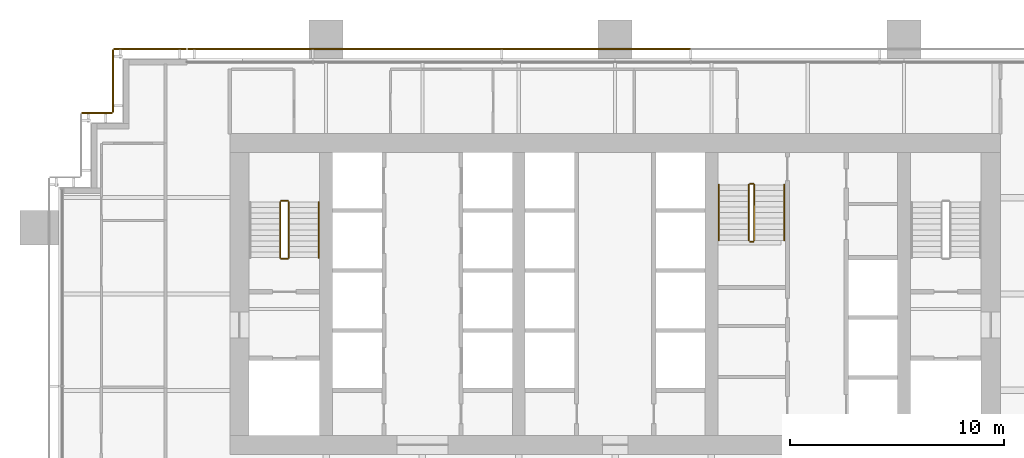
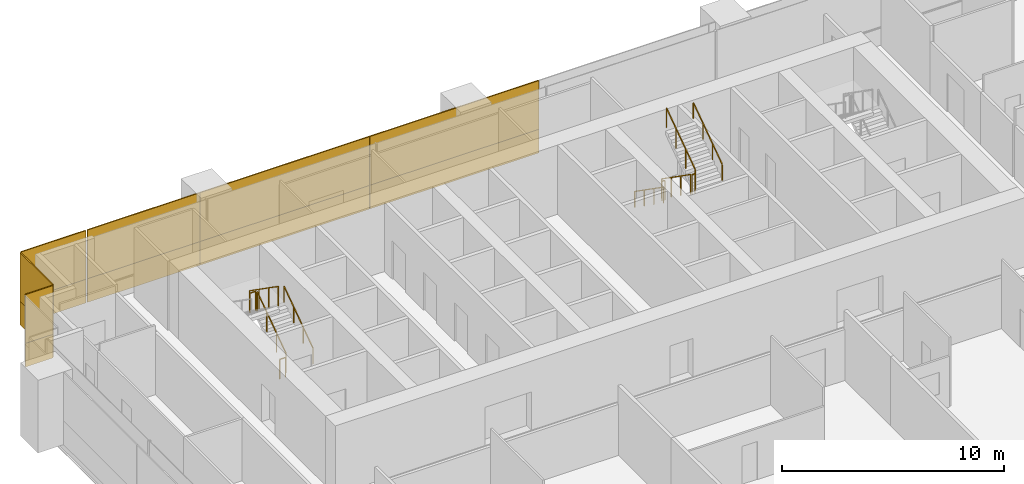
# One storey, part 18 of 19: 12 coverings, 11 railings.
"""IFC4 building model written with IfcOpenShell, lengths in metres."""

from ifc_helpers import new_model, si_unit, direction, frame, origin, origin_2d, place, context, subcontext, project, spatial, rectangle, extrude, material, layer, layer_set, type_object, element, save


model = new_model("IFC4")

# Units and contexts
model_context = context("Model", 3, precision=1e-05, world=origin(), true_north=direction((0.0, 1.0)))
body_context = subcontext(model_context, "Body", "Model", "MODEL_VIEW")
ifc_project = project(units=[si_unit("LENGTHUNIT", "METRE"), si_unit("AREAUNIT", "SQUARE_METRE"), si_unit("VOLUMEUNIT", "CUBIC_METRE"), si_unit("PLANEANGLEUNIT", "RADIAN"), si_unit("MASSUNIT", "GRAM", prefix="KILO")], contexts=[model_context])

# Site, building, storey
site_placement = place(None, origin())
site = spatial("IfcSite", under=ifc_project, at=site_placement, CompositionType="ELEMENT")
building_placement = place(site_placement, origin())
building = spatial("IfcBuilding", under=site, at=building_placement, Name="Rattan Terrace Tower", CompositionType="ELEMENT")
storey_placement = place(building_placement, frame((0.0, 0.0, 111.699951171875)))
storey = spatial("IfcBuildingStorey", under=building, at=storey_placement, Name="L25", CompositionType="ELEMENT", Elevation=111.699951171875)

# Railings
ifc_material_1 = material(Name="Powder-coated steel guard", Category="steel")
railing_type_1 = type_object("IfcRailingType", Name="Core stair guard", PredefinedType="GUARDRAIL", material=ifc_material_1)
railing_1_placement = place(storey_placement, frame((-15.25, 1.699951171875, 0.181884765625)))
element("IfcRailing", 1, at=railing_1_placement, inside=storey, type_object=railing_type_1, Name="L25 S1 stair guard 1", PredefinedType="GUARDRAIL", context=body_context, shape_type="SweptSolid", body=[
    extrude(rectangle(XDim=0.048095703125, YDim=0.048095703125, at=origin_2d()), frame((0.0, 0.0, 1.076171875), z_axis=(0.0, 0.819521025635, 0.573049115296), x_axis=(-1.0, 0.0, 0.0)), (0.0, 0.0, 1.0), 3.172607421875),
    extrude(rectangle(XDim=0.0419921875, YDim=0.0419921875, at=origin_2d()), origin(), (0.0, 0.0, 1.0), 1.052001953125),
    extrude(rectangle(XDim=0.0419921875, YDim=0.0419921875, at=origin_2d()), frame((0.0, 0.86669921875, 0.60595703125)), (0.0, 0.0, 1.0), 1.052001953125),
    extrude(rectangle(XDim=0.0419921875, YDim=0.0419921875, at=origin_2d()), frame((0.0, 1.7333984375, 1.212158203125)), (0.0, 0.0, 1.0), 1.052001953125),
    extrude(rectangle(XDim=0.0419921875, YDim=0.0419921875, at=origin_2d()), frame((0.0, 2.60009765625, 1.818115234375)), (0.0, 0.0, 1.0), 1.052001953125),
])
railing_2_placement = place(storey_placement, frame((-15.300048828125, 4.35009765625, 2.0)))
element("IfcRailing", 2, at=railing_2_placement, inside=storey, type_object=railing_type_1, Name="L25 S1 stair guard 2", PredefinedType="GUARDRAIL", context=body_context, shape_type="SweptSolid", body=[
    extrude(rectangle(XDim=0.048095703125, YDim=0.048095703125, at=origin_2d()), frame((0.0, 0.0, 1.076171875), z_axis=(-1.0, 0.0, 0.0), x_axis=(0.0, -1.0, 0.0)), (0.0, 0.0, 1.0), 0.300048828125),
    extrude(rectangle(XDim=0.0419921875, YDim=0.0419921875, at=origin_2d()), origin(), (0.0, 0.0, 1.0), 1.052001953125),
    extrude(rectangle(XDim=0.0419921875, YDim=0.0419921875, at=origin_2d()), frame((-0.300048828125, 0.0, 0.0)), (0.0, 0.0, 1.0), 1.052001953125),
])
railing_3_placement = place(storey_placement, frame((-15.64990234375, 4.300048828125, 2.181884765625)))
element("IfcRailing", 3, at=railing_3_placement, inside=storey, type_object=railing_type_1, Name="L25 S1 stair guard 3", PredefinedType="GUARDRAIL", context=body_context, shape_type="SweptSolid", body=[
    extrude(rectangle(XDim=0.048095703125, YDim=0.048095703125, at=origin_2d()), frame((0.0, 0.0, 1.076171875), z_axis=(0.0, -0.819521025635, 0.573049115296), x_axis=(1.0, 0.0, 0.0)), (0.0, 0.0, 1.0), 3.172607421875),
    extrude(rectangle(XDim=0.0419921875, YDim=0.0419921875, at=origin_2d()), origin(), (0.0, 0.0, 1.0), 1.052001953125),
    extrude(rectangle(XDim=0.0419921875, YDim=0.0419921875, at=origin_2d()), frame((0.0, -0.86669921875, 0.60595703125)), (0.0, 0.0, 1.0), 1.052001953125),
    extrude(rectangle(XDim=0.0419921875, YDim=0.0419921875, at=origin_2d()), frame((0.0, -1.7333984375, 1.212158203125)), (0.0, 0.0, 1.0), 1.052001953125),
    extrude(rectangle(XDim=0.0419921875, YDim=0.0419921875, at=origin_2d()), frame((0.0, -2.60009765625, 1.818115234375)), (0.0, 0.0, 1.0), 1.052001953125),
])
railing_4_placement = place(storey_placement, frame((-15.300048828125, 1.64990234375, 0.0)))
element("IfcRailing", 4, at=railing_4_placement, inside=storey, type_object=railing_type_1, Name="L25 S1 stair guard 4", PredefinedType="GUARDRAIL", context=body_context, shape_type="SweptSolid", body=[
    extrude(rectangle(XDim=0.048095703125, YDim=0.048095703125, at=origin_2d()), frame((0.0, 0.0, 1.076171875), z_axis=(-1.0, 0.0, 0.0), x_axis=(0.0, -1.0, 0.0)), (0.0, 0.0, 1.0), 0.300048828125),
    extrude(rectangle(XDim=0.0419921875, YDim=0.0419921875, at=origin_2d()), origin(), (0.0, 0.0, 1.0), 1.052001953125),
    extrude(rectangle(XDim=0.0419921875, YDim=0.0419921875, at=origin_2d()), frame((-0.300048828125, 0.0, 0.0)), (0.0, 0.0, 1.0), 1.052001953125),
])
railing_5_placement = place(storey_placement, frame((6.25, 5.10009765625, 0.181884765625)))
element("IfcRailing", 5, at=railing_5_placement, inside=storey, type_object=railing_type_1, Name="L25 S3 stair guard 1", PredefinedType="GUARDRAIL", context=body_context, shape_type="SweptSolid", body=[
    extrude(rectangle(XDim=0.048095703125, YDim=0.048095703125, at=origin_2d()), frame((0.0, 0.0, 1.076171875), z_axis=(0.0, -0.819521025635, 0.573049115296), x_axis=(1.0, 0.0, 0.0)), (0.0, 0.0, 1.0), 3.172607421875),
    extrude(rectangle(XDim=0.0419921875, YDim=0.0419921875, at=origin_2d()), origin(), (0.0, 0.0, 1.0), 1.052001953125),
    extrude(rectangle(XDim=0.0419921875, YDim=0.0419921875, at=origin_2d()), frame((0.0, -0.86669921875, 0.60595703125)), (0.0, 0.0, 1.0), 1.052001953125),
    extrude(rectangle(XDim=0.0419921875, YDim=0.0419921875, at=origin_2d()), frame((0.0, -1.7333984375, 1.212158203125)), (0.0, 0.0, 1.0), 1.052001953125),
    extrude(rectangle(XDim=0.0419921875, YDim=0.0419921875, at=origin_2d()), frame((0.0, -2.60009765625, 1.818115234375)), (0.0, 0.0, 1.0), 1.052001953125),
])
railing_6_placement = place(storey_placement, frame((6.300048828125, 2.449951171875, 2.0)))
element("IfcRailing", 6, at=railing_6_placement, inside=storey, type_object=railing_type_1, Name="L25 S3 stair guard 2", PredefinedType="GUARDRAIL", context=body_context, shape_type="SweptSolid", body=[
    extrude(rectangle(XDim=0.048095703125, YDim=0.048095703125, at=origin_2d()), frame((0.0, 0.0, 1.076171875), z_axis=(1.0, 0.0, 0.0), x_axis=(0.0, 1.0, 0.0)), (0.0, 0.0, 1.0), 0.14990234375),
    extrude(rectangle(XDim=0.0419921875, YDim=0.0419921875, at=origin_2d()), origin(), (0.0, 0.0, 1.0), 1.052001953125),
    extrude(rectangle(XDim=0.0419921875, YDim=0.0419921875, at=origin_2d()), frame((0.14990234375, 0.0, 0.0)), (0.0, 0.0, 1.0), 1.052001953125),
])
railing_7_placement = place(storey_placement, frame((6.5, 2.5, 2.181884765625)))
element("IfcRailing", 7, at=railing_7_placement, inside=storey, type_object=railing_type_1, Name="L25 S3 stair guard 3", PredefinedType="GUARDRAIL", context=body_context, shape_type="SweptSolid", body=[
    extrude(rectangle(XDim=0.048095703125, YDim=0.048095703125, at=origin_2d()), frame((0.0, 0.0, 1.076171875), z_axis=(0.0, 0.819521025635, 0.573049115296), x_axis=(-1.0, 0.0, 0.0)), (0.0, 0.0, 1.0), 3.172607421875),
    extrude(rectangle(XDim=0.0419921875, YDim=0.0419921875, at=origin_2d()), origin(), (0.0, 0.0, 1.0), 1.052001953125),
    extrude(rectangle(XDim=0.0419921875, YDim=0.0419921875, at=origin_2d()), frame((0.0, 0.86669921875, 0.60595703125)), (0.0, 0.0, 1.0), 1.052001953125),
    extrude(rectangle(XDim=0.0419921875, YDim=0.0419921875, at=origin_2d()), frame((0.0, 1.7333984375, 1.212158203125)), (0.0, 0.0, 1.0), 1.052001953125),
    extrude(rectangle(XDim=0.0419921875, YDim=0.0419921875, at=origin_2d()), frame((0.0, 2.60009765625, 1.818115234375)), (0.0, 0.0, 1.0), 1.052001953125),
])
railing_8_placement = place(storey_placement, frame((6.300048828125, 5.14990234375, 0.0)))
element("IfcRailing", 8, at=railing_8_placement, inside=storey, type_object=railing_type_1, Name="L25 S3 stair guard 4", PredefinedType="GUARDRAIL", context=body_context, shape_type="SweptSolid", body=[
    extrude(rectangle(XDim=0.048095703125, YDim=0.048095703125, at=origin_2d()), frame((0.0, 0.0, 1.076171875), z_axis=(1.0, 0.0, 0.0), x_axis=(0.0, 1.0, 0.0)), (0.0, 0.0, 1.0), 0.14990234375),
    extrude(rectangle(XDim=0.0419921875, YDim=0.0419921875, at=origin_2d()), origin(), (0.0, 0.0, 1.0), 1.052001953125),
    extrude(rectangle(XDim=0.0419921875, YDim=0.0419921875, at=origin_2d()), frame((0.14990234375, 0.0, 0.0)), (0.0, 0.0, 1.0), 1.052001953125),
])
ifc_material_2 = material(Name="Powder-coated steel handrail", Category="steel")
railing_type_2 = type_object("IfcRailingType", Name="Core stair handrail", PredefinedType="HANDRAIL", material=ifc_material_2)
railing_9_placement = place(storey_placement, frame((-13.85009765625, 1.699951171875, 0.181884765625)))
element("IfcRailing", 9, at=railing_9_placement, inside=storey, type_object=railing_type_2, Name="L25 S1 stair handrail 1", PredefinedType="HANDRAIL", context=body_context, shape_type="SweptSolid", body=[
    extrude(rectangle(XDim=0.048095703125, YDim=0.048095703125, at=origin_2d()), frame((0.0, 0.0, 0.8759765625), z_axis=(0.0, 0.819521025635, 0.573049115296), x_axis=(-1.0, 0.0, 0.0)), (0.0, 0.0, 1.0), 3.172607421875),
    extrude(rectangle(XDim=0.0419921875, YDim=0.0419921875, at=origin_2d()), origin(), (0.0, 0.0, 1.0), 0.851806640625),
    extrude(rectangle(XDim=0.0419921875, YDim=0.0419921875, at=origin_2d()), frame((0.0, 0.86669921875, 0.60595703125)), (0.0, 0.0, 1.0), 0.851806640625),
    extrude(rectangle(XDim=0.0419921875, YDim=0.0419921875, at=origin_2d()), frame((0.0, 1.7333984375, 1.212158203125)), (0.0, 0.0, 1.0), 0.851806640625),
    extrude(rectangle(XDim=0.0419921875, YDim=0.0419921875, at=origin_2d()), frame((0.0, 2.60009765625, 1.818115234375)), (0.0, 0.0, 1.0), 0.851806640625),
])
railing_10_placement = place(storey_placement, frame((4.85009765625, 5.10009765625, 0.181884765625)))
element("IfcRailing", 10, at=railing_10_placement, inside=storey, type_object=railing_type_2, Name="L25 S3 stair handrail 1", PredefinedType="HANDRAIL", context=body_context, shape_type="SweptSolid", body=[
    extrude(rectangle(XDim=0.048095703125, YDim=0.048095703125, at=origin_2d()), frame((0.0, 0.0, 0.8759765625), z_axis=(0.0, -0.819521025635, 0.573049115296), x_axis=(1.0, 0.0, 0.0)), (0.0, 0.0, 1.0), 3.172607421875),
    extrude(rectangle(XDim=0.0419921875, YDim=0.0419921875, at=origin_2d()), origin(), (0.0, 0.0, 1.0), 0.851806640625),
    extrude(rectangle(XDim=0.0419921875, YDim=0.0419921875, at=origin_2d()), frame((0.0, -0.86669921875, 0.60595703125)), (0.0, 0.0, 1.0), 0.851806640625),
    extrude(rectangle(XDim=0.0419921875, YDim=0.0419921875, at=origin_2d()), frame((0.0, -1.7333984375, 1.212158203125)), (0.0, 0.0, 1.0), 0.851806640625),
    extrude(rectangle(XDim=0.0419921875, YDim=0.0419921875, at=origin_2d()), frame((0.0, -2.60009765625, 1.818115234375)), (0.0, 0.0, 1.0), 0.851806640625),
])
railing_11_placement = place(storey_placement, frame((7.89990234375, 2.5, 2.181884765625)))
element("IfcRailing", 11, at=railing_11_placement, inside=storey, type_object=railing_type_2, Name="L25 S3 stair handrail 2", PredefinedType="HANDRAIL", context=body_context, shape_type="SweptSolid", body=[
    extrude(rectangle(XDim=0.048095703125, YDim=0.048095703125, at=origin_2d()), frame((0.0, 0.0, 0.8759765625), z_axis=(0.0, 0.819521025635, 0.573049115296), x_axis=(-1.0, 0.0, 0.0)), (0.0, 0.0, 1.0), 3.172607421875),
    extrude(rectangle(XDim=0.0419921875, YDim=0.0419921875, at=origin_2d()), origin(), (0.0, 0.0, 1.0), 0.851806640625),
    extrude(rectangle(XDim=0.0419921875, YDim=0.0419921875, at=origin_2d()), frame((0.0, 0.86669921875, 0.60595703125)), (0.0, 0.0, 1.0), 0.851806640625),
    extrude(rectangle(XDim=0.0419921875, YDim=0.0419921875, at=origin_2d()), frame((0.0, 1.7333984375, 1.212158203125)), (0.0, 0.0, 1.0), 0.851806640625),
    extrude(rectangle(XDim=0.0419921875, YDim=0.0419921875, at=origin_2d()), frame((0.0, 2.60009765625, 1.818115234375)), (0.0, 0.0, 1.0), 0.851806640625),
])

# Coverings
ifc_material_3 = material(Name="Solid terracotta", Category="masonry")
ifc_layer_1 = layer(ifc_material_3, 0.06005859375)
ifc_layer_set_1 = layer_set([ifc_layer_1], Name="Facade Terracotta Band Panel")
covering_type_1 = type_object("IfcCoveringType", Name="Facade Terracotta Band Panel", PredefinedType="CLADDING", material=ifc_layer_set_1)
for number, where, z_axis, x_axis, name in (
    (12, (-0.880615234375, 11.449951171875, -0.18994140625), (0.0, 0.0, 1.0), (-1.0, 0.0, 0.0), "OUTER SKIN panel L25-18A"),
    (13, (-9.70361328125, 11.449951171875, -0.18994140625), (0.0, 0.0, 1.0), (-1.0, 0.0, 0.0), "OUTER SKIN panel L25-19A"),
):
    element("IfcCovering", number, at=place(storey_placement, frame(where, z_axis=z_axis, x_axis=x_axis)), inside=storey, type_object=covering_type_1, Name=name, PredefinedType="CLADDING", context=body_context, shape_type="SweptSolid", body=[
        extrude(rectangle(XDim=8.802978515625, YDim=0.06005859375, at=origin_2d()), origin(), (0.0, 0.0, 1.0), 1.300048828125),
    ])
covering_1_placement = place(storey_placement, frame((-17.04248046875, 11.449951171875, -0.18994140625), z_axis=(0.0, 0.0, 1.0), x_axis=(-1.0, 0.0, 0.0)))
element("IfcCovering", 14, at=covering_1_placement, inside=storey, type_object=covering_type_1, Name="OUTER SKIN panel L25-20A", PredefinedType="CLADDING", context=body_context, shape_type="SweptSolid", body=[
    extrude(rectangle(XDim=5.8349609375, YDim=0.06005859375, at=origin_2d()), origin(), (0.0, 0.0, 1.0), 1.300048828125),
])
covering_2_placement = place(storey_placement, frame((-21.72509765625, 11.449951171875, -0.18994140625), z_axis=(0.0, 0.0, 1.0), x_axis=(-1.0, 0.0, 0.0)))
element("IfcCovering", 15, at=covering_2_placement, inside=storey, type_object=covering_type_1, Name="OUTER SKIN panel L25-21A", PredefinedType="CLADDING", context=body_context, shape_type="SweptSolid", body=[
    extrude(rectangle(XDim=3.3701171875, YDim=0.06005859375, at=origin_2d()), origin(), (0.0, 0.0, 1.0), 1.300048828125),
])
covering_3_placement = place(storey_placement, frame((-23.449951171875, 9.949951171875, -0.18994140625), z_axis=(0.0, 0.0, 1.0), x_axis=(0.0, -1.0, 0.0)))
element("IfcCovering", 16, at=covering_3_placement, inside=storey, type_object=covering_type_1, Name="OUTER SKIN panel L25-22A", PredefinedType="CLADDING", context=body_context, shape_type="SweptSolid", body=[
    extrude(rectangle(XDim=2.919921875, YDim=0.06005859375, at=origin_2d()), origin(), (0.0, 0.0, 1.0), 1.300048828125),
])
covering_4_placement = place(storey_placement, frame((-24.199951171875, 8.449951171875, -0.18994140625), z_axis=(0.0, 0.0, 1.0), x_axis=(-1.0, 0.0, 0.0)))
element("IfcCovering", 17, at=covering_4_placement, inside=storey, type_object=covering_type_1, Name="OUTER SKIN panel L25-23A", PredefinedType="CLADDING", context=body_context, shape_type="SweptSolid", body=[
    extrude(rectangle(XDim=1.419921875, YDim=0.06005859375, at=origin_2d()), origin(), (0.0, 0.0, 1.0), 1.300048828125),
])
ifc_material_4 = material(Name="Perforated terracotta", Category="masonry")
ifc_layer_2 = layer(ifc_material_4, 0.06005859375)
ifc_layer_set_2 = layer_set([ifc_layer_2], Name="Facade Terracotta Screen Panel")
covering_type_2 = type_object("IfcCoveringType", Name="Facade Terracotta Screen Panel", PredefinedType="CLADDING", material=ifc_layer_set_2)
for number, where, z_axis, x_axis, name in (
    (18, (-0.880615234375, 11.449951171875, 1.10986328125), (0.0, 0.0, 1.0), (-1.0, 0.0, 0.0), "OUTER SKIN panel L25-18B"),
    (19, (-9.70361328125, 11.449951171875, 1.10986328125), (0.0, 0.0, 1.0), (-1.0, 0.0, 0.0), "OUTER SKIN panel L25-19B"),
):
    element("IfcCovering", number, at=place(storey_placement, frame(where, z_axis=z_axis, x_axis=x_axis)), inside=storey, type_object=covering_type_2, Name=name, PredefinedType="CLADDING", context=body_context, shape_type="SweptSolid", body=[
        extrude(rectangle(XDim=8.802978515625, YDim=0.06005859375, at=origin_2d()), origin(), (0.0, 0.0, 1.0), 2.679931640625),
    ])
covering_5_placement = place(storey_placement, frame((-17.04248046875, 11.449951171875, 1.10986328125), z_axis=(0.0, 0.0, 1.0), x_axis=(-1.0, 0.0, 0.0)))
element("IfcCovering", 20, at=covering_5_placement, inside=storey, type_object=covering_type_2, Name="OUTER SKIN panel L25-20B", PredefinedType="CLADDING", context=body_context, shape_type="SweptSolid", body=[
    extrude(rectangle(XDim=5.8349609375, YDim=0.06005859375, at=origin_2d()), origin(), (0.0, 0.0, 1.0), 2.679931640625),
])
covering_6_placement = place(storey_placement, frame((-21.72509765625, 11.449951171875, 1.10986328125), z_axis=(0.0, 0.0, 1.0), x_axis=(-1.0, 0.0, 0.0)))
element("IfcCovering", 21, at=covering_6_placement, inside=storey, type_object=covering_type_2, Name="OUTER SKIN panel L25-21B", PredefinedType="CLADDING", context=body_context, shape_type="SweptSolid", body=[
    extrude(rectangle(XDim=3.3701171875, YDim=0.06005859375, at=origin_2d()), origin(), (0.0, 0.0, 1.0), 2.679931640625),
])
covering_7_placement = place(storey_placement, frame((-23.449951171875, 9.949951171875, 1.10986328125), z_axis=(0.0, 0.0, 1.0), x_axis=(0.0, -1.0, 0.0)))
element("IfcCovering", 22, at=covering_7_placement, inside=storey, type_object=covering_type_2, Name="OUTER SKIN panel L25-22B", PredefinedType="CLADDING", context=body_context, shape_type="SweptSolid", body=[
    extrude(rectangle(XDim=2.919921875, YDim=0.06005859375, at=origin_2d()), origin(), (0.0, 0.0, 1.0), 2.679931640625),
])
covering_8_placement = place(storey_placement, frame((-24.199951171875, 8.449951171875, 1.10986328125), z_axis=(0.0, 0.0, 1.0), x_axis=(-1.0, 0.0, 0.0)))
element("IfcCovering", 23, at=covering_8_placement, inside=storey, type_object=covering_type_2, Name="OUTER SKIN panel L25-23B", PredefinedType="CLADDING", context=body_context, shape_type="SweptSolid", body=[
    extrude(rectangle(XDim=1.419921875, YDim=0.06005859375, at=origin_2d()), origin(), (0.0, 0.0, 1.0), 2.679931640625),
])

save(model, "model.ifc")
